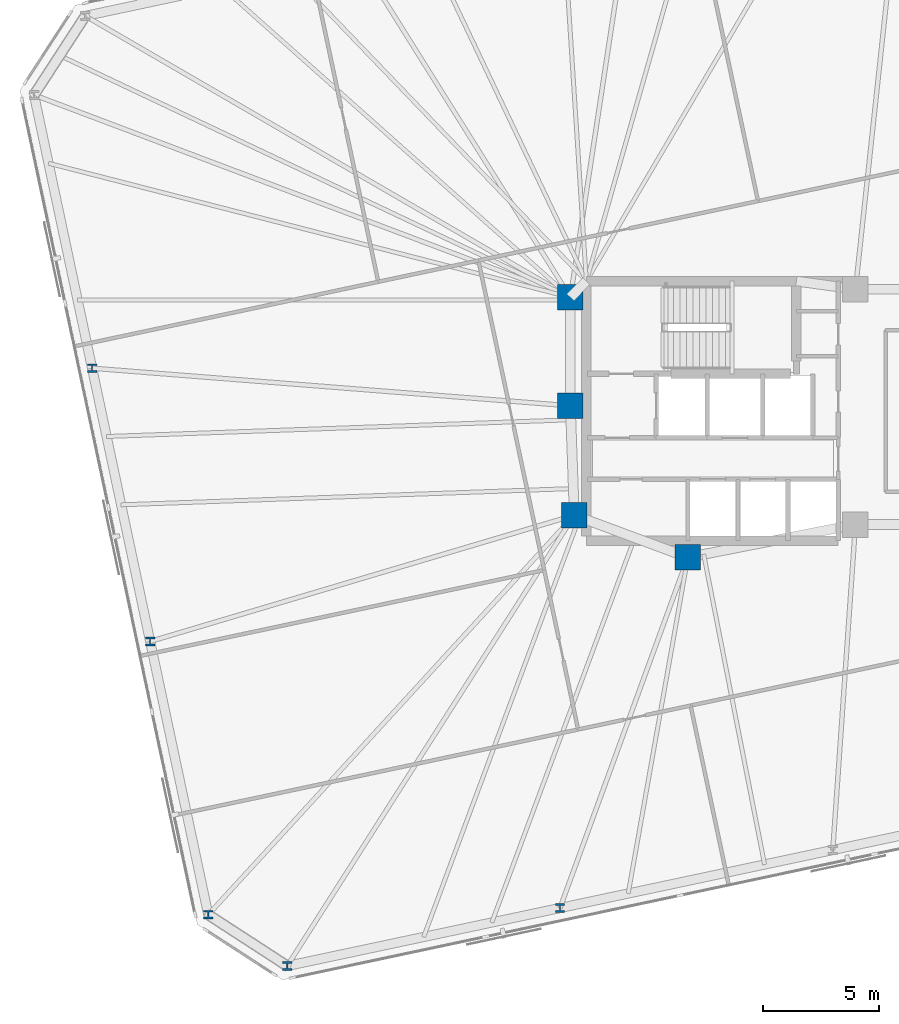
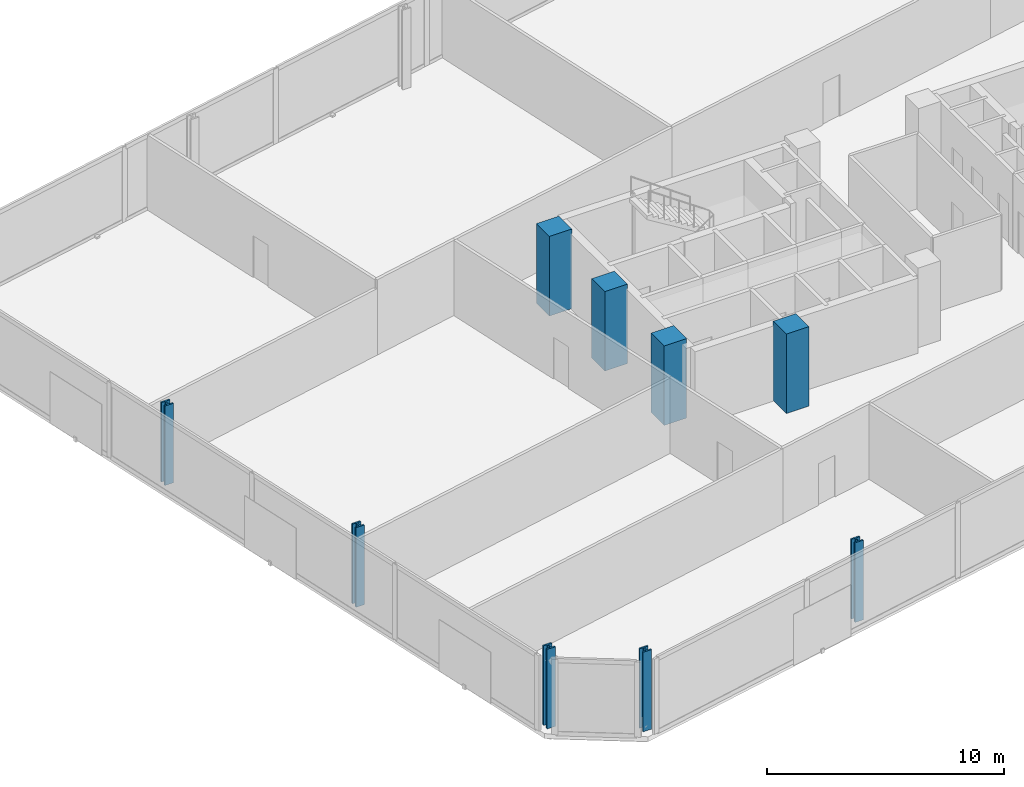
# One storey, part 1 of 15: 9 columns.
"""IFC4 building model written with IfcOpenShell, lengths in metres."""

from ifc_helpers import new_model, si_unit, direction, frame, origin, origin_2d, place, context, subcontext, project, spatial, rectangle, i_section, extrude, material, material_profile, profile_set, type_object, element, save


model = new_model("IFC4")

# Units and contexts
model_context = context("Model", 3, precision=1e-05, world=origin(), true_north=direction((0.0, 1.0)))
body_context = subcontext(model_context, "Body", "Model", "MODEL_VIEW")
ifc_project = project(units=[si_unit("LENGTHUNIT", "METRE"), si_unit("AREAUNIT", "SQUARE_METRE"), si_unit("VOLUMEUNIT", "CUBIC_METRE"), si_unit("PLANEANGLEUNIT", "RADIAN"), si_unit("MASSUNIT", "GRAM", prefix="KILO")], contexts=[model_context])

# Site, building, storey
site_placement = place(None, origin())
site = spatial("IfcSite", under=ifc_project, at=site_placement, CompositionType="ELEMENT")
building_placement = place(site_placement, origin())
building = spatial("IfcBuilding", under=site, at=building_placement, Name="Menara Jurai Vektor", CompositionType="ELEMENT")
storey_placement = place(building_placement, frame((0.0, 0.0, 147.300048828125)))
storey = spatial("IfcBuildingStorey", under=building, at=storey_placement, Name="L37", CompositionType="ELEMENT", Elevation=147.300048828125)

# Columns
ifc_material_1 = material(Name="Concrete C50/60", Category="concrete")
ifc_material_profile_1 = material_profile(ifc_material_1, rectangle(XDim=1.10009765625, YDim=1.10009765625, at=origin_2d()), Name="RC 1100x1100")
ifc_profile_set_1 = profile_set([ifc_material_profile_1], Name="Concrete C50/60")
column_type_1 = type_object("IfcColumnType", Name="STR-COL-RC1100", PredefinedType="COLUMN", material=ifc_profile_set_1)
for number, where, z_axis, x_axis, name in (
    (1, (-15.25, 4.89990234375, 0.0), (0.0, 0.0, 1.0), (1.0, 0.0, 0.0), "Core Spine Column CW-NW L37"),
    (2, (-15.25, 0.219970703125, 0.0), (0.0, 0.0, 1.0), (1.0, 0.0, 0.0), "Core Spine Column CW-WM L37"),
    (3, (-15.080078125, -4.5, 0.0), (0.0, 0.0, 1.0), (1.0, 0.0, 0.0), "Core Spine Column CW-SW L37"),
    (4, (-10.179931640625, -6.320068359375, 0.0), (0.0, 0.0, 1.0), (1.0, 0.0, 0.0), "Core Spine Column CW-SM L37"),
):
    element("IfcColumn", number, at=place(storey_placement, frame(where, z_axis=z_axis, x_axis=x_axis)), inside=storey, type_object=column_type_1, Name=name, PredefinedType="COLUMN", context=body_context, shape_type="SweptSolid", body=[
        extrude(rectangle(XDim=1.10009765625, YDim=1.10009765625, at=origin_2d()), origin(), (0.0, 0.0, 1.0), 4.099853515625),
    ])
ifc_material_2 = material(Name="Steel S460", Category="steel")
ifc_material_profile_2 = material_profile(ifc_material_2, i_section(OverallWidth=0.408935546875, OverallDepth=0.3740234375, WebThickness=0.048095703125, FlangeThickness=0.076904296875, FilletRadius=0.014892578125, at=origin_2d()), Name="HD 400x634")
ifc_profile_set_2 = profile_set([ifc_material_profile_2], Name="Steel S460")
column_type_2 = type_object("IfcColumnType", Name="STR-EXO-BLK3", PredefinedType="COLUMN", material=ifc_profile_set_2)
for number, where, z_axis, x_axis, name in (
    (5, (-27.46484375, -23.94580078125, 0.0), (0.0, 0.0, 1.0), (1.0, 0.0, 0.0), "Exoskeleton Column BLK3-S1 L37"),
    (6, (-15.696533203125, -21.4443359375, 0.0), (0.0, 0.0, 1.0), (1.0, 0.0, 0.0), "Exoskeleton Column BLK3-S2 L37"),
    (7, (-35.8828125, 1.843505859375, 0.0), (0.0, 0.0, 1.0), (1.0, 0.0, 0.0), "Exoskeleton Column BLK3-W2 L37"),
    (8, (-33.377197265625, -9.945068359375, 0.0), (0.0, 0.0, 1.0), (1.0, 0.0, 0.0), "Exoskeleton Column BLK3-W3 L37"),
    (9, (-30.871337890625, -21.7333984375, 0.0), (0.0, 0.0, 1.0), (1.0, 0.0, 0.0), "Exoskeleton Column BLK3-W4 L37"),
):
    element("IfcColumn", number, at=place(storey_placement, frame(where, z_axis=z_axis, x_axis=x_axis)), inside=storey, type_object=column_type_2, Name=name, PredefinedType="COLUMN", context=body_context, shape_type="SweptSolid", body=[
        extrude(i_section(OverallWidth=0.408935546875, OverallDepth=0.3740234375, WebThickness=0.048095703125, FlangeThickness=0.076904296875, FilletRadius=0.014892578125, at=origin_2d()), origin(), (0.0, 0.0, 1.0), 4.099853515625),
    ])

save(model, "model.ifc")
